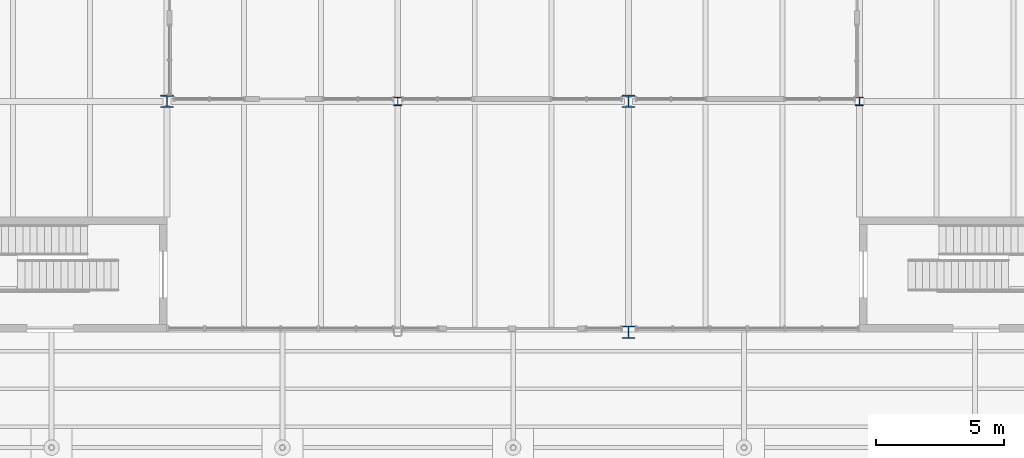
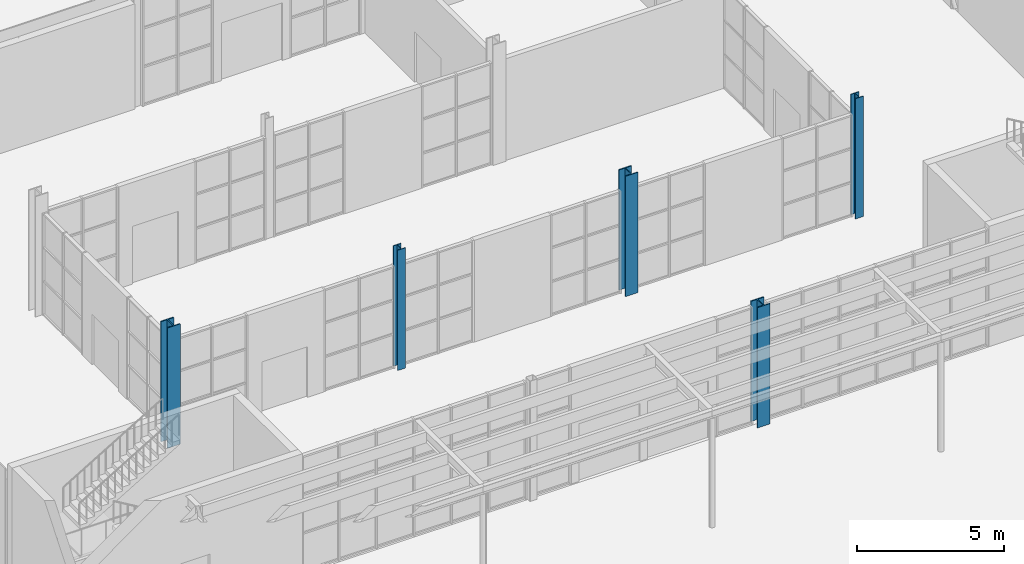
# One storey, part 5 of 63: 5 columns.
"""IFC4 building model written with IfcOpenShell, lengths in metres."""

from ifc_helpers import new_model, si_unit, direction, frame, origin, origin_2d, place, context, subcontext, project, spatial, i_section, extrude, material, material_profile, profile_set, type_object, element, save


model = new_model("IFC4")

# Units and contexts
model_context = context("Model", 3, precision=1e-05, world=origin(), true_north=direction((0.0, 1.0)))
body_context = subcontext(model_context, "Body", "Model", "MODEL_VIEW")
ifc_project = project(units=[si_unit("LENGTHUNIT", "METRE"), si_unit("AREAUNIT", "SQUARE_METRE"), si_unit("VOLUMEUNIT", "CUBIC_METRE"), si_unit("PLANEANGLEUNIT", "RADIAN"), si_unit("MASSUNIT", "GRAM", prefix="KILO")], contexts=[model_context])

# Site, building, storey
site_placement = place(None, origin())
site = spatial("IfcSite", under=ifc_project, at=site_placement, CompositionType="ELEMENT")
building_placement = place(site_placement, origin())
building = spatial("IfcBuilding", under=site, at=building_placement, Name="Halyard Row Museum", CompositionType="ELEMENT")
storey_placement = place(building_placement, origin())
storey = spatial("IfcBuildingStorey", under=building, at=storey_placement, Name="L00", CompositionType="ELEMENT", Elevation=0.0)

# Columns
ifc_material_1 = material(Name="Steel Grade 300", Category="steel")
ifc_material_profile_1 = material_profile(ifc_material_1, i_section(OverallWidth=0.30908203125, OverallDepth=0.320556640625, WebThickness=0.013916015625, FlangeThickness=0.021728515625, FilletRadius=0.0166015625, at=origin_2d()), Name="310UC137")
ifc_profile_set_1 = profile_set([ifc_material_profile_1], Name="Steel Grade 300")
column_type_1 = type_object("IfcColumnType", Name="Column 310UC137 interior", PredefinedType="COLUMN", material=ifc_profile_set_1)
column_1_placement = place(storey_placement, frame((45.0, 27.0, 0.0), z_axis=(0.0, 0.0, 1.0), x_axis=(1.0, 0.0, 0.0)))
element("IfcColumn", 1, at=column_1_placement, inside=storey, type_object=column_type_1, Name="Column 6D L00", PredefinedType="COLUMN", context=body_context, shape_type="SweptSolid", body=[
    extrude(i_section(OverallWidth=0.30908203125, OverallDepth=0.320556640625, WebThickness=0.013916015625, FlangeThickness=0.021728515625, FilletRadius=0.0166015625, at=origin_2d()), origin(), (0.0, 0.0, 1.0), 5.0),
])
ifc_material_2 = material(Name="Steel Grade 300", Category="steel")
ifc_material_profile_2 = material_profile(ifc_material_2, i_section(OverallWidth=0.31103515625, OverallDepth=0.3271484375, WebThickness=0.015625, FlangeThickness=0.02490234375, FilletRadius=0.0166015625, at=origin_2d()), Name="310UC158")
ifc_profile_set_2 = profile_set([ifc_material_profile_2], Name="Steel Grade 300")
column_type_2 = type_object("IfcColumnType", Name="Column 310UC158 interior", PredefinedType="COLUMN", material=ifc_profile_set_2)
column_2_placement = place(storey_placement, frame((63.0, 27.0, 0.0), z_axis=(0.0, 0.0, 1.0), x_axis=(1.0, 0.0, 0.0)))
element("IfcColumn", 2, at=column_2_placement, inside=storey, type_object=column_type_2, Name="Column 8D L00", PredefinedType="COLUMN", context=body_context, shape_type="SweptSolid", body=[
    extrude(i_section(OverallWidth=0.31103515625, OverallDepth=0.3271484375, WebThickness=0.015625, FlangeThickness=0.02490234375, FilletRadius=0.0166015625, at=origin_2d()), origin(), (0.0, 0.0, 1.0), 5.0),
])
ifc_material_3 = material(Name="Steel Grade 300", Category="steel")
ifc_material_profile_3 = material_profile(ifc_material_3, i_section(OverallWidth=0.5, OverallDepth=0.47998046875, WebThickness=0.0400390625, FlangeThickness=0.0400390625, at=origin_2d()), Name="500WC440")
ifc_profile_set_3 = profile_set([ifc_material_profile_3], Name="Steel Grade 300")
column_type_3 = type_object("IfcColumnType", Name="Column 500WC440 truss", PredefinedType="COLUMN", material=ifc_profile_set_3)
for number, where, z_axis, x_axis, name in (
    (3, (54.0, 18.0, 0.0), (0.0, 0.0, 1.0), (1.0, 0.0, 0.0), "Column 7C L00"),
    (4, (36.0, 27.0, 0.0), (0.0, 0.0, 1.0), (1.0, 0.0, 0.0), "Column 5D L00"),
    (5, (54.0, 27.0, 0.0), (0.0, 0.0, 1.0), (1.0, 0.0, 0.0), "Column 7D L00"),
):
    element("IfcColumn", number, at=place(storey_placement, frame(where, z_axis=z_axis, x_axis=x_axis)), inside=storey, type_object=column_type_3, Name=name, PredefinedType="COLUMN", context=body_context, shape_type="SweptSolid", body=[
        extrude(i_section(OverallWidth=0.5, OverallDepth=0.47998046875, WebThickness=0.0400390625, FlangeThickness=0.0400390625, at=origin_2d()), origin(), (0.0, 0.0, 1.0), 5.0),
    ])

save(model, "model.ifc")
